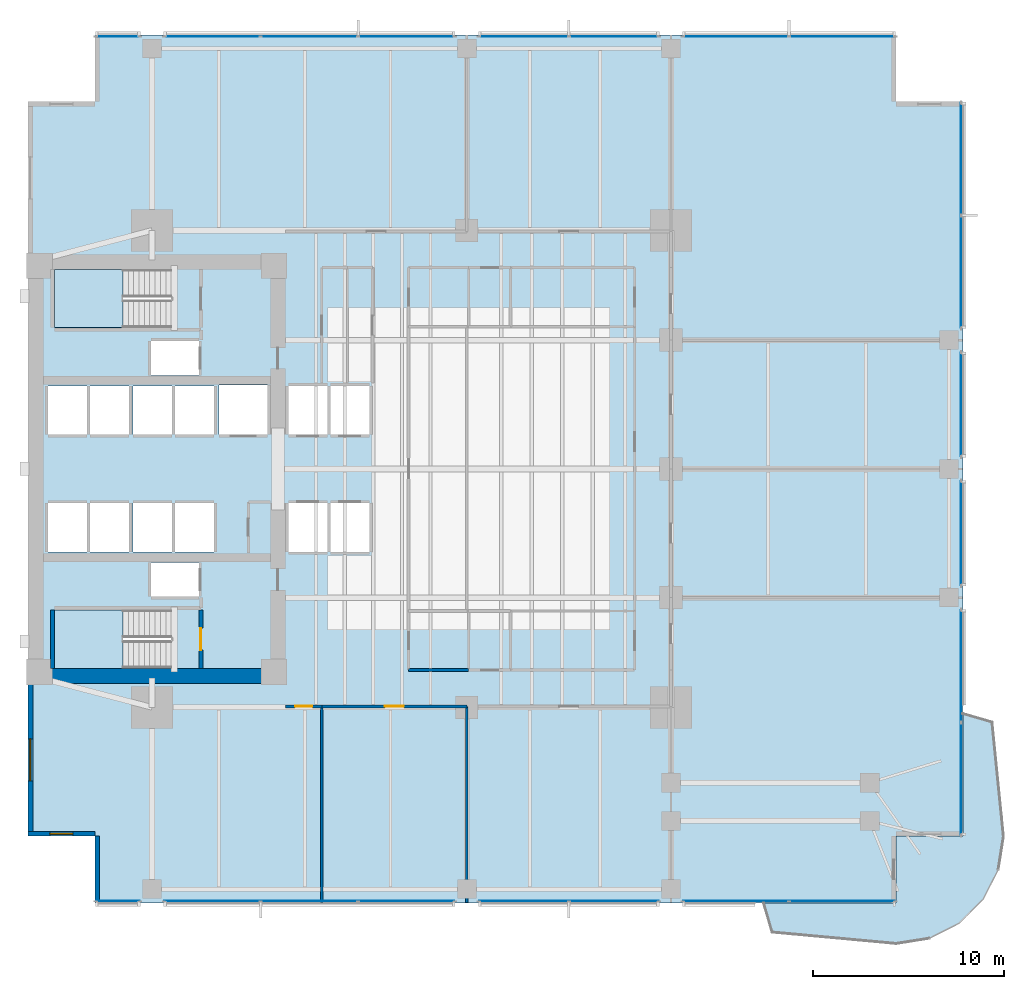
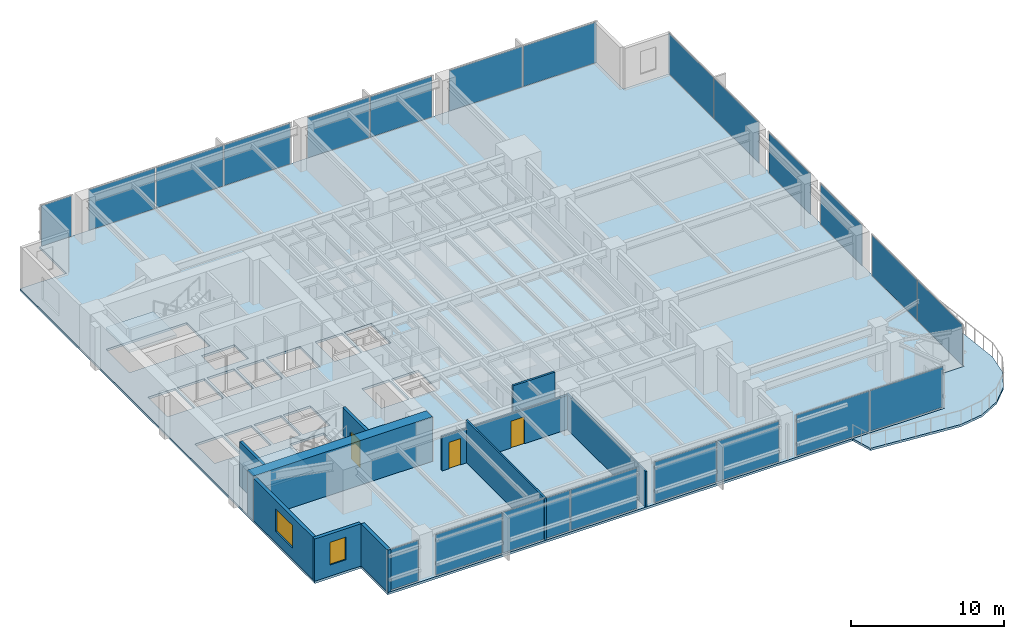
# One storey, part 7 of 15: 22 plates, 11 walls, 4 slabs, 3 doors, 2 windows, 5 openings, 14 elements without a shape of their own.
"""IFC4 building model written with IfcOpenShell, lengths in metres."""

from ifc_helpers import new_model, si_unit, direction, frame, frame_2d, origin, origin_2d, place, context, subcontext, project, spatial, polyline, rectangle, outline, extrude, material, layer, layer_set, type_object, element, fill, aggregate, save


model = new_model("IFC4")

# Units and contexts
model_context = context("Model", 3, precision=1e-05, world=origin(), true_north=direction((0.0, 1.0)))
body_context = subcontext(model_context, "Body", "Model", "MODEL_VIEW")
ifc_project = project(units=[si_unit("LENGTHUNIT", "METRE"), si_unit("AREAUNIT", "SQUARE_METRE"), si_unit("VOLUMEUNIT", "CUBIC_METRE"), si_unit("PLANEANGLEUNIT", "RADIAN"), si_unit("MASSUNIT", "GRAM", prefix="KILO")], contexts=[model_context])

# Site, building, storey
site_placement = place(None, origin())
site = spatial("IfcSite", under=ifc_project, at=site_placement, CompositionType="ELEMENT")
building_placement = place(site_placement, origin())
building = spatial("IfcBuilding", under=site, at=building_placement, Name="Kinhvarn Gate Tower", CompositionType="ELEMENT")
storey_placement = place(building_placement, frame((0.0, 0.0, 32.699951171875)))
storey = spatial("IfcBuildingStorey", under=building, at=storey_placement, Name="L07", CompositionType="ELEMENT", Elevation=32.699951171875)

# Curtain wall, plate
ifc_material_1 = material(Name="Anodised aluminium AW-6063", Category="aluminium")
ifc_layer_1 = layer(ifc_material_1, 0.179931640625)
ifc_layer_set_1 = layer_set([ifc_layer_1], Name="Anodised aluminium AW-6063")
curtain_wall_type = type_object("IfcCurtainWallType", Name="CW-SYS-2", PredefinedType="NOTDEFINED", material=ifc_layer_set_1)
curtain_wall_1_placement = place(storey_placement, origin())
curtain_wall_1 = element("IfcCurtainWall", 1, at=curtain_wall_1_placement, inside=storey, type_object=curtain_wall_type, Name="Curtain Wall CW2 (L07)", PredefinedType="NOTDEFINED")
ifc_material_2 = material(Name="Clear low-e double glazing", Category="glass")
ifc_layer_2 = layer(ifc_material_2, 0.031982421875)
ifc_layer_set_2 = layer_set([ifc_layer_2], Name="Clear low-e double glazing")
plate_type = type_object("IfcPlateType", Name="CW-PNL-VIS", PredefinedType="CURTAIN_PANEL", material=ifc_layer_set_2)
plate_1_placement = place(storey_placement, frame((9.2099609375, 2.590087890625, 0.070068359375), z_axis=(0.0, 0.0, 1.0), x_axis=(1.0, 0.0, 0.0)))
plate_1 = element("IfcPlate", 2, at=plate_1_placement, type_object=plate_type, Name="CW2 panel 1.1", PredefinedType="CURTAIN_PANEL", context=body_context, shape_type="SweptSolid", body=[
    extrude(rectangle(XDim=2.280029296875, YDim=0.031982421875, at=origin_2d()), origin(), (0.0, 0.0, 1.0), 3.22998046875),
])
aggregate(curtain_wall_1, [plate_1])

# Curtain wall, plates
curtain_wall_2_placement = place(storey_placement, origin())
curtain_wall_2 = element("IfcCurtainWall", 3, at=curtain_wall_2_placement, inside=storey, type_object=curtain_wall_type, Name="Curtain Wall CW2 (L07)", PredefinedType="NOTDEFINED")
plate_2_placement = place(storey_placement, frame((14.154052734375, 2.590087890625, 0.070068359375), z_axis=(0.0, 0.0, 1.0), x_axis=(1.0, 0.0, 0.0)))
plate_2 = element("IfcPlate", 4, at=plate_2_placement, type_object=plate_type, Name="CW2 panel 1.1", PredefinedType="CURTAIN_PANEL", context=body_context, shape_type="SweptSolid", body=[
    extrude(rectangle(XDim=5.00830078125, YDim=0.031982421875, at=origin_2d()), origin(), (0.0, 0.0, 1.0), 3.22998046875),
])
plate_3_placement = place(storey_placement, frame((19.25, 2.590087890625, 0.070068359375), z_axis=(0.0, 0.0, 1.0), x_axis=(1.0, 0.0, 0.0)))
plate_3 = element("IfcPlate", 5, at=plate_3_placement, type_object=plate_type, Name="CW2 panel 2.1", PredefinedType="CURTAIN_PANEL", context=body_context, shape_type="SweptSolid", body=[
    extrude(rectangle(XDim=5.043212890625, YDim=0.031982421875, at=origin_2d()), origin(), (0.0, 0.0, 1.0), 3.22998046875),
])
plate_4_placement = place(storey_placement, frame((24.345947265625, 2.590087890625, 0.070068359375), z_axis=(0.0, 0.0, 1.0), x_axis=(1.0, 0.0, 0.0)))
plate_4 = element("IfcPlate", 6, at=plate_4_placement, type_object=plate_type, Name="CW2 panel 3.1", PredefinedType="CURTAIN_PANEL", context=body_context, shape_type="SweptSolid", body=[
    extrude(rectangle(XDim=5.00830078125, YDim=0.031982421875, at=origin_2d()), origin(), (0.0, 0.0, 1.0), 3.22998046875),
])
aggregate(curtain_wall_2, [plate_2, plate_3, plate_4])

curtain_wall_3_placement = place(storey_placement, origin())
curtain_wall_3 = element("IfcCurtainWall", 7, at=curtain_wall_3_placement, inside=storey, type_object=curtain_wall_type, Name="Curtain Wall CW2 (L07)", PredefinedType="NOTDEFINED")
plate_5_placement = place(storey_placement, frame((30.482421875, 2.590087890625, 0.070068359375), z_axis=(0.0, 0.0, 1.0), x_axis=(1.0, 0.0, 0.0)))
plate_5 = element("IfcPlate", 8, at=plate_5_placement, type_object=plate_type, Name="CW2 panel 1.1", PredefinedType="CURTAIN_PANEL", context=body_context, shape_type="SweptSolid", body=[
    extrude(rectangle(XDim=4.6650390625, YDim=0.031982421875, at=origin_2d()), origin(), (0.0, 0.0, 1.0), 3.22998046875),
])
plate_6_placement = place(storey_placement, frame((35.217529296875, 2.590087890625, 0.070068359375), z_axis=(0.0, 0.0, 1.0), x_axis=(1.0, 0.0, 0.0)))
plate_6 = element("IfcPlate", 9, at=plate_6_placement, type_object=plate_type, Name="CW2 panel 2.1", PredefinedType="CURTAIN_PANEL", context=body_context, shape_type="SweptSolid", body=[
    extrude(rectangle(XDim=4.6650390625, YDim=0.031982421875, at=origin_2d()), origin(), (0.0, 0.0, 1.0), 3.22998046875),
])
aggregate(curtain_wall_3, [plate_5, plate_6])

curtain_wall_4_placement = place(storey_placement, origin())
curtain_wall_4 = element("IfcCurtainWall", 10, at=curtain_wall_4_placement, inside=storey, type_object=curtain_wall_type, Name="Curtain Wall CW2 (L07)", PredefinedType="NOTDEFINED")
plate_7_placement = place(storey_placement, frame((41.6025390625, 2.590087890625, 0.070068359375), z_axis=(0.0, 0.0, 1.0), x_axis=(1.0, 0.0, 0.0)))
plate_7 = element("IfcPlate", 11, at=plate_7_placement, type_object=plate_type, Name="CW2 panel 1.1", PredefinedType="CURTAIN_PANEL", context=body_context, shape_type="SweptSolid", body=[
    extrude(rectangle(XDim=5.5048828125, YDim=0.031982421875, at=origin_2d()), origin(), (0.0, 0.0, 1.0), 3.22998046875),
])
plate_8_placement = place(storey_placement, frame((47.177490234375, 2.590087890625, 0.070068359375), z_axis=(0.0, 0.0, 1.0), x_axis=(1.0, 0.0, 0.0)))
plate_8 = element("IfcPlate", 12, at=plate_8_placement, type_object=plate_type, Name="CW2 panel 2.1", PredefinedType="CURTAIN_PANEL", context=body_context, shape_type="SweptSolid", body=[
    extrude(rectangle(XDim=5.5048828125, YDim=0.031982421875, at=origin_2d()), origin(), (0.0, 0.0, 1.0), 3.22998046875),
])
aggregate(curtain_wall_4, [plate_7, plate_8])

curtain_wall_5_placement = place(storey_placement, origin())
curtain_wall_5 = element("IfcCurtainWall", 13, at=curtain_wall_5_placement, inside=storey, type_object=curtain_wall_type, Name="Curtain Wall CW2 (L07)", PredefinedType="NOTDEFINED")
plate_9_placement = place(storey_placement, frame((47.177490234375, 47.909912109375, 0.070068359375), z_axis=(0.0, 0.0, 1.0), x_axis=(-1.0, 0.0, 0.0)))
plate_9 = element("IfcPlate", 14, at=plate_9_placement, type_object=plate_type, Name="CW2 panel 1.1", PredefinedType="CURTAIN_PANEL", context=body_context, shape_type="SweptSolid", body=[
    extrude(rectangle(XDim=5.5048828125, YDim=0.031982421875, at=origin_2d()), origin(), (0.0, 0.0, 1.0), 3.22998046875),
])
plate_10_placement = place(storey_placement, frame((41.6025390625, 47.909912109375, 0.070068359375), z_axis=(0.0, 0.0, 1.0), x_axis=(-1.0, 0.0, 0.0)))
plate_10 = element("IfcPlate", 15, at=plate_10_placement, type_object=plate_type, Name="CW2 panel 2.1", PredefinedType="CURTAIN_PANEL", context=body_context, shape_type="SweptSolid", body=[
    extrude(rectangle(XDim=5.5048828125, YDim=0.031982421875, at=origin_2d()), origin(), (0.0, 0.0, 1.0), 3.22998046875),
])
aggregate(curtain_wall_5, [plate_9, plate_10])

curtain_wall_6_placement = place(storey_placement, origin())
curtain_wall_6 = element("IfcCurtainWall", 16, at=curtain_wall_6_placement, inside=storey, type_object=curtain_wall_type, Name="Curtain Wall CW2 (L07)", PredefinedType="NOTDEFINED")
plate_11_placement = place(storey_placement, frame((35.217529296875, 47.909912109375, 0.070068359375), z_axis=(0.0, 0.0, 1.0), x_axis=(-1.0, 0.0, 0.0)))
plate_11 = element("IfcPlate", 17, at=plate_11_placement, type_object=plate_type, Name="CW2 panel 1.1", PredefinedType="CURTAIN_PANEL", context=body_context, shape_type="SweptSolid", body=[
    extrude(rectangle(XDim=4.6650390625, YDim=0.031982421875, at=origin_2d()), origin(), (0.0, 0.0, 1.0), 3.22998046875),
])
plate_12_placement = place(storey_placement, frame((30.482421875, 47.909912109375, 0.070068359375), z_axis=(0.0, 0.0, 1.0), x_axis=(-1.0, 0.0, 0.0)))
plate_12 = element("IfcPlate", 18, at=plate_12_placement, type_object=plate_type, Name="CW2 panel 2.1", PredefinedType="CURTAIN_PANEL", context=body_context, shape_type="SweptSolid", body=[
    extrude(rectangle(XDim=4.6650390625, YDim=0.031982421875, at=origin_2d()), origin(), (0.0, 0.0, 1.0), 3.22998046875),
])
aggregate(curtain_wall_6, [plate_11, plate_12])

curtain_wall_7_placement = place(storey_placement, origin())
curtain_wall_7 = element("IfcCurtainWall", 19, at=curtain_wall_7_placement, inside=storey, type_object=curtain_wall_type, Name="Curtain Wall CW2 (L07)", PredefinedType="NOTDEFINED")
plate_13_placement = place(storey_placement, frame((24.345947265625, 47.909912109375, 0.070068359375), z_axis=(0.0, 0.0, 1.0), x_axis=(-1.0, 0.0, 0.0)))
plate_13 = element("IfcPlate", 20, at=plate_13_placement, type_object=plate_type, Name="CW2 panel 1.1", PredefinedType="CURTAIN_PANEL", context=body_context, shape_type="SweptSolid", body=[
    extrude(rectangle(XDim=5.00830078125, YDim=0.031982421875, at=origin_2d()), origin(), (0.0, 0.0, 1.0), 3.22998046875),
])
plate_14_placement = place(storey_placement, frame((19.25, 47.909912109375, 0.070068359375), z_axis=(0.0, 0.0, 1.0), x_axis=(-1.0, 0.0, 0.0)))
plate_14 = element("IfcPlate", 21, at=plate_14_placement, type_object=plate_type, Name="CW2 panel 2.1", PredefinedType="CURTAIN_PANEL", context=body_context, shape_type="SweptSolid", body=[
    extrude(rectangle(XDim=5.043212890625, YDim=0.031982421875, at=origin_2d()), origin(), (0.0, 0.0, 1.0), 3.22998046875),
])
plate_15_placement = place(storey_placement, frame((14.154052734375, 47.909912109375, 0.070068359375), z_axis=(0.0, 0.0, 1.0), x_axis=(-1.0, 0.0, 0.0)))
plate_15 = element("IfcPlate", 22, at=plate_15_placement, type_object=plate_type, Name="CW2 panel 3.1", PredefinedType="CURTAIN_PANEL", context=body_context, shape_type="SweptSolid", body=[
    extrude(rectangle(XDim=5.00830078125, YDim=0.031982421875, at=origin_2d()), origin(), (0.0, 0.0, 1.0), 3.22998046875),
])
aggregate(curtain_wall_7, [plate_13, plate_14, plate_15])

# Curtain wall, plate
curtain_wall_8_placement = place(storey_placement, origin())
curtain_wall_8 = element("IfcCurtainWall", 23, at=curtain_wall_8_placement, inside=storey, type_object=curtain_wall_type, Name="Curtain Wall CW2 (L07)", PredefinedType="NOTDEFINED")
plate_16_placement = place(storey_placement, frame((9.2099609375, 47.909912109375, 0.070068359375), z_axis=(0.0, 0.0, 1.0), x_axis=(-1.0, 0.0, 0.0)))
plate_16 = element("IfcPlate", 24, at=plate_16_placement, type_object=plate_type, Name="CW2 panel 1.1", PredefinedType="CURTAIN_PANEL", context=body_context, shape_type="SweptSolid", body=[
    extrude(rectangle(XDim=2.280029296875, YDim=0.031982421875, at=origin_2d()), origin(), (0.0, 0.0, 1.0), 3.22998046875),
])
aggregate(curtain_wall_8, [plate_16])

# Curtain wall, plates
curtain_wall_9_placement = place(storey_placement, origin())
curtain_wall_9 = element("IfcCurtainWall", 25, at=curtain_wall_9_placement, inside=storey, type_object=curtain_wall_type, Name="Curtain Wall CW2 (L07)", PredefinedType="NOTDEFINED")
plate_17_placement = place(storey_placement, frame((53.409912109375, 8.99755859375, 0.070068359375), z_axis=(0.0, 0.0, 1.0), x_axis=(0.0, 1.0, 0.0)))
plate_17 = element("IfcPlate", 26, at=plate_17_placement, type_object=plate_type, Name="CW2 panel 1.1", PredefinedType="CURTAIN_PANEL", context=body_context, shape_type="SweptSolid", body=[
    extrude(rectangle(XDim=5.85498046875, YDim=0.031982421875, at=origin_2d()), origin(), (0.0, 0.0, 1.0), 3.22998046875),
])
plate_18_placement = place(storey_placement, frame((53.409912109375, 14.922607421875, 0.070068359375), z_axis=(0.0, 0.0, 1.0), x_axis=(0.0, 1.0, 0.0)))
plate_18 = element("IfcPlate", 27, at=plate_18_placement, type_object=plate_type, Name="CW2 panel 2.1", PredefinedType="CURTAIN_PANEL", context=body_context, shape_type="SweptSolid", body=[
    extrude(rectangle(XDim=5.85498046875, YDim=0.031982421875, at=origin_2d()), origin(), (0.0, 0.0, 1.0), 3.22998046875),
])
aggregate(curtain_wall_9, [plate_17, plate_18])

# Curtain wall, plate
curtain_wall_10_placement = place(storey_placement, origin())
curtain_wall_10 = element("IfcCurtainWall", 28, at=curtain_wall_10_placement, inside=storey, type_object=curtain_wall_type, Name="Curtain Wall CW2 (L07)", PredefinedType="NOTDEFINED")
plate_19_placement = place(storey_placement, frame((53.409912109375, 21.875, 0.070068359375), z_axis=(0.0, 0.0, 1.0), x_axis=(0.0, 1.0, 0.0)))
plate_19 = element("IfcPlate", 29, at=plate_19_placement, type_object=plate_type, Name="CW2 panel 1.1", PredefinedType="CURTAIN_PANEL", context=body_context, shape_type="SweptSolid", body=[
    extrude(rectangle(XDim=5.449951171875, YDim=0.031982421875, at=origin_2d()), origin(), (0.0, 0.0, 1.0), 3.22998046875),
])
aggregate(curtain_wall_10, [plate_19])

curtain_wall_11_placement = place(storey_placement, origin())
curtain_wall_11 = element("IfcCurtainWall", 30, at=curtain_wall_11_placement, inside=storey, type_object=curtain_wall_type, Name="Curtain Wall CW2 (L07)", PredefinedType="NOTDEFINED")
plate_20_placement = place(storey_placement, frame((53.409912109375, 28.625, 0.070068359375), z_axis=(0.0, 0.0, 1.0), x_axis=(0.0, 1.0, 0.0)))
plate_20 = element("IfcPlate", 31, at=plate_20_placement, type_object=plate_type, Name="CW2 panel 1.1", PredefinedType="CURTAIN_PANEL", context=body_context, shape_type="SweptSolid", body=[
    extrude(rectangle(XDim=5.449951171875, YDim=0.031982421875, at=origin_2d()), origin(), (0.0, 0.0, 1.0), 3.22998046875),
])
aggregate(curtain_wall_11, [plate_20])

# Curtain wall, plates
curtain_wall_12_placement = place(storey_placement, origin())
curtain_wall_12 = element("IfcCurtainWall", 32, at=curtain_wall_12_placement, inside=storey, type_object=curtain_wall_type, Name="Curtain Wall CW2 (L07)", PredefinedType="NOTDEFINED")
plate_21_placement = place(storey_placement, frame((53.409912109375, 35.577392578125, 0.070068359375), z_axis=(0.0, 0.0, 1.0), x_axis=(0.0, 1.0, 0.0)))
plate_21 = element("IfcPlate", 33, at=plate_21_placement, type_object=plate_type, Name="CW2 panel 1.1", PredefinedType="CURTAIN_PANEL", context=body_context, shape_type="SweptSolid", body=[
    extrude(rectangle(XDim=5.85498046875, YDim=0.031982421875, at=origin_2d()), origin(), (0.0, 0.0, 1.0), 3.22998046875),
])
plate_22_placement = place(storey_placement, frame((53.409912109375, 41.50244140625, 0.070068359375), z_axis=(0.0, 0.0, 1.0), x_axis=(0.0, 1.0, 0.0)))
plate_22 = element("IfcPlate", 34, at=plate_22_placement, type_object=plate_type, Name="CW2 panel 2.1", PredefinedType="CURTAIN_PANEL", context=body_context, shape_type="SweptSolid", body=[
    extrude(rectangle(XDim=5.85498046875, YDim=0.031982421875, at=origin_2d()), origin(), (0.0, 0.0, 1.0), 3.22998046875),
])
aggregate(curtain_wall_12, [plate_21, plate_22])

# Slabs
ifc_material_3 = material(Name="Precast white architectural concrete C40/50", Category="concrete")
ifc_layer_3 = layer(ifc_material_3, 0.179931640625)
ifc_layer_set_3 = layer_set([ifc_layer_3], Name="Precast white architectural concrete C40/50")
slab_type_1 = type_object("IfcSlabType", Name="SLB-BAL-180", PredefinedType="FLOOR", material=ifc_layer_set_3)
slab_1_placement = place(storey_placement, frame((0.0, 0.0, -0.179931640625)))
element("IfcSlab", 35, at=slab_1_placement, inside=storey, type_object=slab_type_1, Name="S-Carve Curved Terrace Balcony Slab L07 (SE)", PredefinedType="FLOOR", context=body_context, shape_type="SweptSolid", body=[
    extrude(outline(polyline([(43.06396484375, 2.5), (43.513916015625, 0.962890625), (50.0, 0.364990234375), (51.7412109375, 0.640869140625), (53.312255859375, 1.441162109375), (54.558837890625, 2.687744140625), (55.359130859375, 4.2587890625), (55.635009765625, 6.0), (55.037109375, 11.966064453125), (53.5, 12.416015625), (53.5, 6.0), (50.0, 6.0), (50.0, 2.5), (43.06396484375, 2.5)])), origin(), (0.0, 0.0, 1.0), 0.179931640625),
])
ifc_material_4 = material(Name="Concrete C40/50", Category="concrete")
ifc_layer_4 = layer(ifc_material_4, 0.179931640625)
ifc_layer_set_4 = layer_set([ifc_layer_4], Name="Concrete C40/50")
slab_type_2 = type_object("IfcSlabType", Name="SLB-FLR-180", PredefinedType="FLOOR", material=ifc_layer_set_4)
slab_2_placement = place(storey_placement, frame((0.0, 0.0, -0.179931640625)))
element("IfcSlab", 36, at=slab_2_placement, inside=storey, type_object=slab_type_2, Name="Suspended Floor Slab L07", PredefinedType="FLOOR", context=body_context, shape_type="SweptSolid", body=[
    extrude(outline(polyline([(8.0, 2.5), (50.0, 2.5), (50.0, 6.0), (53.5, 6.0), (53.5, 44.5), (50.0, 44.5), (50.0, 48.0), (8.0, 48.0), (8.0, 44.5), (4.5, 44.5), (4.5, 6.0), (8.0, 6.0), (8.0, 2.5)]), holes=[polyline([(5.89990234375, 14.800048828125), (12.0, 14.800048828125), (12.0, 17.85009765625), (5.89990234375, 17.85009765625), (5.89990234375, 14.800048828125)]), polyline([(5.89990234375, 32.64990234375), (12.0, 32.64990234375), (12.0, 35.699951171875), (5.89990234375, 35.699951171875), (5.89990234375, 32.64990234375)]), polyline([(18.14990234375, 20.89990234375), (20.199951171875, 20.89990234375), (20.199951171875, 23.449951171875), (18.14990234375, 23.449951171875), (18.14990234375, 20.89990234375)]), polyline([(20.35009765625, 20.89990234375), (22.39990234375, 20.89990234375), (22.39990234375, 23.449951171875), (20.35009765625, 23.449951171875), (20.35009765625, 20.89990234375)]), polyline([(18.14990234375, 27.050048828125), (20.199951171875, 27.050048828125), (20.199951171875, 29.60009765625), (18.14990234375, 29.60009765625), (18.14990234375, 27.050048828125)]), polyline([(20.35009765625, 27.050048828125), (22.39990234375, 27.050048828125), (22.39990234375, 29.60009765625), (20.35009765625, 29.60009765625), (20.35009765625, 27.050048828125)]), polyline([(5.550048828125, 20.89990234375), (7.60009765625, 20.89990234375), (7.60009765625, 23.449951171875), (5.550048828125, 23.449951171875), (5.550048828125, 20.89990234375)]), polyline([(7.75, 20.89990234375), (9.800048828125, 20.89990234375), (9.800048828125, 23.449951171875), (7.75, 23.449951171875), (7.75, 20.89990234375)]), polyline([(5.550048828125, 27.050048828125), (7.60009765625, 27.050048828125), (7.60009765625, 29.60009765625), (5.550048828125, 29.60009765625), (5.550048828125, 27.050048828125)]), polyline([(7.75, 27.050048828125), (9.800048828125, 27.050048828125), (9.800048828125, 29.60009765625), (7.75, 29.60009765625), (7.75, 27.050048828125)]), polyline([(10.0, 20.89990234375), (12.050048828125, 20.89990234375), (12.050048828125, 23.449951171875), (10.0, 23.449951171875), (10.0, 20.89990234375)]), polyline([(12.199951171875, 20.89990234375), (14.25, 20.89990234375), (14.25, 23.449951171875), (12.199951171875, 23.449951171875), (12.199951171875, 20.89990234375)]), polyline([(10.0, 27.050048828125), (12.050048828125, 27.050048828125), (12.050048828125, 29.60009765625), (10.0, 29.60009765625), (10.0, 27.050048828125)]), polyline([(12.199951171875, 27.050048828125), (14.25, 27.050048828125), (14.25, 29.60009765625), (12.199951171875, 29.60009765625), (12.199951171875, 27.050048828125)]), polyline([(14.5, 27.050048828125), (17.050048828125, 27.050048828125), (17.050048828125, 29.64990234375), (14.5, 29.64990234375), (14.5, 27.050048828125)]), polyline([(10.949951171875, 18.550048828125), (13.449951171875, 18.550048828125), (13.449951171875, 20.35009765625), (10.949951171875, 20.35009765625), (10.949951171875, 18.550048828125)]), polyline([(10.949951171875, 30.14990234375), (13.449951171875, 30.14990234375), (13.449951171875, 31.949951171875), (10.949951171875, 31.949951171875), (10.949951171875, 30.14990234375)])]), origin(), (0.0, 0.0, 1.0), 0.179931640625),
])

# Stair, slab
stair_type = type_object("IfcStairType", Name="STR-DLG-177", PredefinedType="HALF_TURN_STAIR", material=ifc_material_4)
stair_1_placement = place(storey_placement, origin())
stair_1 = element("IfcStair", 37, at=stair_1_placement, inside=storey, type_object=stair_type, Name="L07 Core Smokeproof Exit Stair ST1", PredefinedType="HALF_TURN_STAIR")
ifc_layer_5 = layer(ifc_material_4, 0.199951171875)
ifc_layer_set_5 = layer_set([ifc_layer_5], Name="Concrete C40/50")
slab_type_3 = type_object("IfcSlabType", Name="SLB-ST-LND", PredefinedType="LANDING", material=ifc_layer_set_5)
slab_3_placement = place(storey_placement, frame((0.0, 0.0, 1.574951171875)))
slab_3 = element("IfcSlab", 38, at=slab_3_placement, type_object=slab_type_3, Name="ST1 landing 1", PredefinedType="LANDING", context=body_context, shape_type="SweptSolid", body=[
    extrude(outline(polyline([(9.47998046875, 17.85009765625), (5.89990234375, 17.85009765625), (5.89990234375, 14.800048828125), (9.47998046875, 14.800048828125), (9.47998046875, 17.85009765625)])), origin(), (0.0, 0.0, 1.0), 0.2001953125),
])
aggregate(stair_1, [slab_3])

stair_2_placement = place(storey_placement, origin())
stair_2 = element("IfcStair", 39, at=stair_2_placement, inside=storey, type_object=stair_type, Name="L07 Core Smokeproof Exit Stair ST2", PredefinedType="HALF_TURN_STAIR")
slab_4_placement = place(storey_placement, frame((0.0, 0.0, 1.574951171875)))
slab_4 = element("IfcSlab", 40, at=slab_4_placement, type_object=slab_type_3, Name="ST2 landing 1", PredefinedType="LANDING", context=body_context, shape_type="SweptSolid", body=[
    extrude(outline(polyline([(9.47998046875, 35.699951171875), (5.89990234375, 35.699951171875), (5.89990234375, 32.64990234375), (9.47998046875, 32.64990234375), (9.47998046875, 35.699951171875)])), origin(), (0.0, 0.0, 1.0), 0.2001953125),
])
aggregate(stair_2, [slab_4])

# Wall
ifc_material_5 = material(Name="Concrete C70/85", Category="concrete")
ifc_layer_6 = layer(ifc_material_5, 0.800048828125)
ifc_layer_set_6 = layer_set([ifc_layer_6], Name="Concrete C70/85")
wall_type_1 = type_object("IfcWallType", Name="WL-CORE-800", PredefinedType="SHEAR", material=ifc_layer_set_6)
wall_1_placement = place(storey_placement, frame((4.5, 14.39990234375, 0.0), z_axis=(0.0, 0.0, 1.0), x_axis=(1.0, 0.0, 0.0)))
element("IfcWall", 41, at=wall_1_placement, inside=storey, type_object=wall_type_1, Name="Core South Shear Wall L07 800 mm", PredefinedType="SHEAR", context=body_context, shape_type="SweptSolid", body=[
    extrude(rectangle(XDim=13.5, YDim=0.800048828125, at=frame_2d((6.75, 0.0))), origin(), (0.0, 0.0, 1.0), 3.550048828125),
])

# Wall, opening, window
ifc_material_6 = material(Name="Fired architectural terracotta", Category="masonry")
ifc_layer_7 = layer(ifc_material_6, 0.25)
ifc_layer_set_7 = layer_set([ifc_layer_7], Name="Fired architectural terracotta")
wall_type_2 = type_object("IfcWallType", Name="WL-EXT-250", PredefinedType="SOLIDWALL", material=ifc_layer_set_7)
wall_2_placement = place(storey_placement, frame((4.625, 14.0, 0.0), z_axis=(0.0, 0.0, 1.0), x_axis=(0.0, -1.0, 0.0)))
wall_2 = element("IfcWall", 42, at=wall_2_placement, inside=storey, type_object=wall_type_2, Name="Exterior Solidwall Wall EW-250 (L07 West-South)", PredefinedType="SOLIDWALL", context=body_context, shape_type="SweptSolid", body=[
    extrude(rectangle(XDim=8.0, YDim=0.25, at=frame_2d((4.0, 0.0))), origin(), (0.0, 0.0, 1.0), 3.3701171875),
])
opening_1_placement = place(wall_2_placement, frame((2.89990234375, 0.0, 0.89990234375)))
opening_1 = element("IfcOpeningElement", 43, at=opening_1_placement, cuts=wall_2, Name="Opening WN-01", PredefinedType="OPENING", context=body_context, shape_type="SweptSolid", body=[
    extrude(rectangle(XDim=2.199951171875, YDim=1.800048828125, at=frame_2d((1.10009765625, 0.89990234375))), frame((0.0, 0.135009765625, 0.0), z_axis=(0.0, -1.0, 0.0), x_axis=(1.0, 0.0, 0.0)), (0.0, 0.0, 1.0), 0.27001953125),
])
window_type_1 = type_object("IfcWindowType", Name="WIN-RIB-2200", PartitioningType="SINGLE_PANEL", PredefinedType="WINDOW", material=ifc_material_2)
window_1_placement = place(opening_1_placement, origin())
window_1 = element("IfcWindow", 44, at=window_1_placement, inside=storey, type_object=window_type_1, Name="West Flank Double-Glazed Ribbon Window 2200x1800 mm (L07)", OverallHeight=1.800048828125, OverallWidth=2.199951171875, PartitioningType="SINGLE_PANEL", PredefinedType="WINDOW", context=body_context, shape_type="SweptSolid", body=[
    extrude(rectangle(XDim=2.199951171875, YDim=1.800048828125, at=frame_2d((1.10009765625, 0.89990234375))), frame((0.0, 0.030029296875, 0.0), z_axis=(0.0, -1.0, 0.0), x_axis=(1.0, 0.0, 0.0)), (0.0, 0.0, 1.0), 0.06005859375),
])
fill(opening_1, window_1)

wall_3_placement = place(storey_placement, frame((4.5, 6.125, 0.0), z_axis=(0.0, 0.0, 1.0), x_axis=(1.0, 0.0, 0.0)))
wall_3 = element("IfcWall", 45, at=wall_3_placement, inside=storey, type_object=wall_type_2, Name="Exterior Solidwall Wall EW-250 (L07 SW-Notch-1)", PredefinedType="SOLIDWALL", context=body_context, shape_type="SweptSolid", body=[
    extrude(rectangle(XDim=3.5, YDim=0.25, at=frame_2d((1.75, 0.0))), origin(), (0.0, 0.0, 1.0), 3.3701171875),
])
opening_2_placement = place(wall_3_placement, frame((1.14990234375, 0.0, 0.89990234375)))
opening_2 = element("IfcOpeningElement", 46, at=opening_2_placement, cuts=wall_3, Name="Opening WN-02", PredefinedType="OPENING", context=body_context, shape_type="SweptSolid", body=[
    extrude(rectangle(XDim=1.199951171875, YDim=1.800048828125, at=frame_2d((0.60009765625, 0.89990234375))), frame((0.0, 0.135009765625, 0.0), z_axis=(0.0, -1.0, 0.0), x_axis=(1.0, 0.0, 0.0)), (0.0, 0.0, 1.0), 0.27001953125),
])
window_type_2 = type_object("IfcWindowType", Name="WIN-NTC-1200", PartitioningType="SINGLE_PANEL", PredefinedType="WINDOW", material=ifc_material_2)
window_2_placement = place(opening_2_placement, origin())
window_2 = element("IfcWindow", 47, at=window_2_placement, inside=storey, type_object=window_type_2, Name="Recessed Corner Notch Punched Window 1200x1800 mm (L07)", OverallHeight=1.800048828125, OverallWidth=1.199951171875, PartitioningType="SINGLE_PANEL", PredefinedType="WINDOW", context=body_context, shape_type="SweptSolid", body=[
    extrude(rectangle(XDim=1.199951171875, YDim=1.800048828125, at=frame_2d((0.60009765625, 0.89990234375))), frame((0.0, 0.030029296875, 0.0), z_axis=(0.0, -1.0, 0.0), x_axis=(1.0, 0.0, 0.0)), (0.0, 0.0, 1.0), 0.06005859375),
])
fill(opening_2, window_2)

# Walls
wall_4_placement = place(storey_placement, frame((8.125, 6.0, 0.0), z_axis=(0.0, 0.0, 1.0), x_axis=(0.0, -1.0, 0.0)))
element("IfcWall", 48, at=wall_4_placement, inside=storey, type_object=wall_type_2, Name="Exterior Solidwall Wall EW-250 (L07 SW-Notch-2)", PredefinedType="SOLIDWALL", context=body_context, shape_type="SweptSolid", body=[
    extrude(rectangle(XDim=3.5, YDim=0.25, at=frame_2d((1.75, 0.0))), origin(), (0.0, 0.0, 1.0), 3.3701171875),
])
ifc_material_7 = material(Name="Gypsum acoustic partition board")
ifc_layer_8 = layer(ifc_material_7, 0.14990234375)
ifc_layer_set_8 = layer_set([ifc_layer_8], Name="Gypsum acoustic partition board")
wall_type_3 = type_object("IfcWallType", Name="WL-PLM-150F", PredefinedType="PLUMBINGWALL", material=ifc_layer_set_8)
wall_5_placement = place(storey_placement, frame((24.449951171875, 14.699951171875, 0.0), z_axis=(0.0, 0.0, 1.0), x_axis=(1.0, 0.0, 0.0)))
element("IfcWall", 49, at=wall_5_placement, inside=storey, type_object=wall_type_3, Name="Interior Partition PLW-150F (L07)", PredefinedType="PLUMBINGWALL", context=body_context, shape_type="SweptSolid", body=[
    extrude(rectangle(XDim=3.150146484375, YDim=0.14990234375, at=frame_2d((1.5751953125, 0.0))), origin(), (0.0, 0.0, 1.0), 3.3701171875),
])
ifc_layer_9 = layer(ifc_material_7, 0.1201171875)
ifc_layer_set_9 = layer_set([ifc_layer_9], Name="Gypsum acoustic partition board")
wall_type_4 = type_object("IfcWallType", Name="WL-PRT-120", PredefinedType="PARTITIONING", material=ifc_layer_set_9)
wall_6_placement = place(storey_placement, frame((19.89990234375, 2.510009765625, 0.0), z_axis=(0.0, 0.0, 1.0), x_axis=(0.0, 1.0, 0.0)))
element("IfcWall", 50, at=wall_6_placement, inside=storey, type_object=wall_type_4, Name="Interior Partition PW-120 (L07)", PredefinedType="PARTITIONING", context=body_context, shape_type="SweptSolid", body=[
    extrude(rectangle(XDim=10.2900390625, YDim=0.1201171875, at=frame_2d((5.14501953125, 0.0))), origin(), (0.0, 0.0, 1.0), 3.3701171875),
])
wall_7_placement = place(storey_placement, frame((27.5, 2.510009765625, 0.0), z_axis=(0.0, 0.0, 1.0), x_axis=(0.0, 1.0, 0.0)))
element("IfcWall", 51, at=wall_7_placement, inside=storey, type_object=wall_type_4, Name="Interior Partition PW-120 (L07)", PredefinedType="PARTITIONING", context=body_context, shape_type="SweptSolid", body=[
    extrude(rectangle(XDim=10.2900390625, YDim=0.1201171875, at=frame_2d((5.14501953125, 0.0))), origin(), (0.0, 0.0, 1.0), 2.820068359375),
])

# Wall, opening, door
ifc_layer_10 = layer(ifc_material_7, 0.14990234375)
ifc_layer_set_10 = layer_set([ifc_layer_10], Name="Gypsum acoustic partition board")
wall_type_5 = type_object("IfcWallType", Name="WL-PRT-150F", PredefinedType="PARTITIONING", material=ifc_layer_set_10)
wall_8_placement = place(storey_placement, frame((18.0, 12.800048828125, 0.0), z_axis=(0.0, 0.0, 1.0), x_axis=(1.0, 0.0, 0.0)))
wall_8 = element("IfcWall", 52, at=wall_8_placement, inside=storey, type_object=wall_type_5, Name="Interior Partition PW-150F (L07)", PredefinedType="PARTITIONING", context=body_context, shape_type="SweptSolid", body=[
    extrude(rectangle(XDim=1.89990234375, YDim=0.14990234375, at=frame_2d((0.949951171875, 0.0))), origin(), (0.0, 0.0, 1.0), 2.719970703125),
])
opening_3_placement = place(wall_8_placement, frame((0.5, 0.0, 0.0)))
opening_3 = element("IfcOpeningElement", 53, at=opening_3_placement, cuts=wall_8, Name="Opening ID-03", PredefinedType="OPENING", context=body_context, shape_type="SweptSolid", body=[
    extrude(rectangle(XDim=0.89990234375, YDim=2.10009765625, at=frame_2d((0.449951171875, 1.050048828125))), frame((0.0, 0.0849609375, 0.0), z_axis=(0.0, -1.0, 0.0), x_axis=(1.0, 0.0, 0.0)), (0.0, 0.0, 1.0), 0.169921875),
])
door_type_1 = type_object("IfcDoorType", Name="DR-INT-900", OperationType="NOTDEFINED", PredefinedType="DOOR", material=ifc_material_1)
door_1_placement = place(opening_3_placement, origin())
door_1 = element("IfcDoor", 54, at=door_1_placement, inside=storey, type_object=door_type_1, Name="Cellular Office & Restroom Door 900x2100 mm (L07)", OperationType="SINGLE_SWING_RIGHT", OverallHeight=2.10009765625, OverallWidth=0.89990234375, PredefinedType="DOOR", context=body_context, shape_type="SweptSolid", body=[
    extrude(rectangle(XDim=0.89990234375, YDim=2.10009765625, at=frame_2d((0.449951171875, 1.050048828125))), frame((0.0, 0.02490234375, 0.0), z_axis=(0.0, -1.0, 0.0), x_axis=(1.0, 0.0, 0.0)), (0.0, 0.0, 1.0), 0.050048828125),
])
fill(opening_3, door_1)

wall_9_placement = place(storey_placement, frame((19.89990234375, 12.800048828125, 0.0), z_axis=(0.0, 0.0, 1.0), x_axis=(1.0, 0.0, 0.0)))
wall_9 = element("IfcWall", 55, at=wall_9_placement, inside=storey, type_object=wall_type_5, Name="Interior Partition PW-150F (L07)", PredefinedType="PARTITIONING", context=body_context, shape_type="SweptSolid", body=[
    extrude(rectangle(XDim=7.60009765625, YDim=0.14990234375, at=frame_2d((3.800048828125, 0.0))), origin(), (0.0, 0.0, 1.0), 2.719970703125),
])
opening_4_placement = place(wall_9_placement, frame((3.300048828125, 0.0, 0.0)))
opening_4 = element("IfcOpeningElement", 56, at=opening_4_placement, cuts=wall_9, Name="Opening ID-02", PredefinedType="OPENING", context=body_context, shape_type="SweptSolid", body=[
    extrude(rectangle(XDim=1.0, YDim=2.14990234375, at=frame_2d((0.5, 1.074951171875))), frame((0.0, 0.0849609375, 0.0), z_axis=(0.0, -1.0, 0.0), x_axis=(1.0, 0.0, 0.0)), (0.0, 0.0, 1.0), 0.169921875),
])
door_type_2 = type_object("IfcDoorType", Name="DR-INT-1000", OperationType="NOTDEFINED", PredefinedType="DOOR", material=ifc_material_1)
door_2_placement = place(opening_4_placement, origin())
door_2 = element("IfcDoor", 57, at=door_2_placement, inside=storey, type_object=door_type_2, Name="Standard Office & Meeting Room Door 1000x2150 mm (L07)", OperationType="SINGLE_SWING_LEFT", OverallHeight=2.14990234375, OverallWidth=1.0, PredefinedType="DOOR", context=body_context, shape_type="SweptSolid", body=[
    extrude(rectangle(XDim=1.0, YDim=2.14990234375, at=frame_2d((0.5, 1.074951171875))), frame((0.0, 0.02490234375, 0.0), z_axis=(0.0, -1.0, 0.0), x_axis=(1.0, 0.0, 0.0)), (0.0, 0.0, 1.0), 0.050048828125),
])
fill(opening_4, door_2)

# Wall
ifc_layer_11 = layer(ifc_material_4, 0.199951171875)
ifc_layer_set_11 = layer_set([ifc_layer_11], Name="Concrete C40/50")
wall_type_6 = type_object("IfcWallType", Name="WL-SHF-200", PredefinedType="SOLIDWALL", material=ifc_layer_set_11)
wall_10_placement = place(storey_placement, frame((5.7900390625, 14.800048828125, 0.0), z_axis=(0.0, 0.0, 1.0), x_axis=(0.0, 1.0, 0.0)))
element("IfcWall", 58, at=wall_10_placement, inside=storey, type_object=wall_type_6, Name="Stair ST1 West Shaft Wall (L07)", PredefinedType="SOLIDWALL", context=body_context, shape_type="SweptSolid", body=[
    extrude(rectangle(XDim=3.050048828125, YDim=0.199951171875, at=frame_2d((1.52490234375, 0.0))), origin(), (0.0, 0.0, 1.0), 3.550048828125),
])

# Wall, opening, door
wall_11_placement = place(storey_placement, frame((13.56005859375, 14.800048828125, 0.0), z_axis=(0.0, 0.0, 1.0), x_axis=(0.0, 1.0, 0.0)))
wall_11 = element("IfcWall", 59, at=wall_11_placement, inside=storey, type_object=wall_type_6, Name="Stair ST1 East Entry Wall (L07)", PredefinedType="SOLIDWALL", context=body_context, shape_type="SweptSolid", body=[
    extrude(rectangle(XDim=3.050048828125, YDim=0.199951171875, at=frame_2d((1.52490234375, 0.0))), origin(), (0.0, 0.0, 1.0), 3.550048828125),
])
opening_5_placement = place(wall_11_placement, frame((0.949951171875, 0.0, 0.0)))
opening_5 = element("IfcOpeningElement", 60, at=opening_5_placement, cuts=wall_11, Name="Opening FD-01", PredefinedType="OPENING", context=body_context, shape_type="SweptSolid", body=[
    extrude(rectangle(XDim=1.14990234375, YDim=2.14990234375, at=frame_2d((0.574951171875, 1.074951171875))), frame((0.0, 0.10986328125, 0.0), z_axis=(0.0, -1.0, 0.0), x_axis=(1.0, 0.0, 0.0)), (0.0, 0.0, 1.0), 0.219970703125),
])
door_type_3 = type_object("IfcDoorType", Name="DR-ST-1150", OperationType="NOTDEFINED", PredefinedType="DOOR", material=ifc_material_1)
door_3_placement = place(opening_5_placement, origin())
door_3 = element("IfcDoor", 61, at=door_3_placement, inside=storey, type_object=door_type_3, Name="Exit Stair ST1 Fire Door (L07)", OperationType="SINGLE_SWING_LEFT", OverallHeight=2.14990234375, OverallWidth=1.14990234375, PredefinedType="DOOR", context=body_context, shape_type="SweptSolid", body=[
    extrude(rectangle(XDim=1.14990234375, YDim=2.14990234375, at=frame_2d((0.574951171875, 1.074951171875))), frame((0.0, 0.02490234375, 0.0), z_axis=(0.0, -1.0, 0.0), x_axis=(1.0, 0.0, 0.0)), (0.0, 0.0, 1.0), 0.050048828125),
])
fill(opening_5, door_3)

save(model, "model.ifc")
